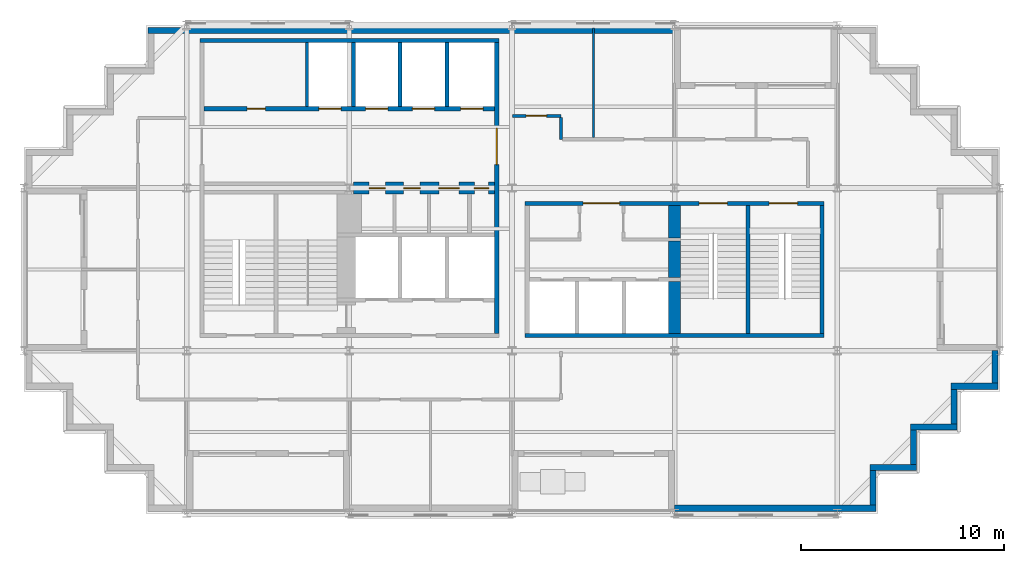
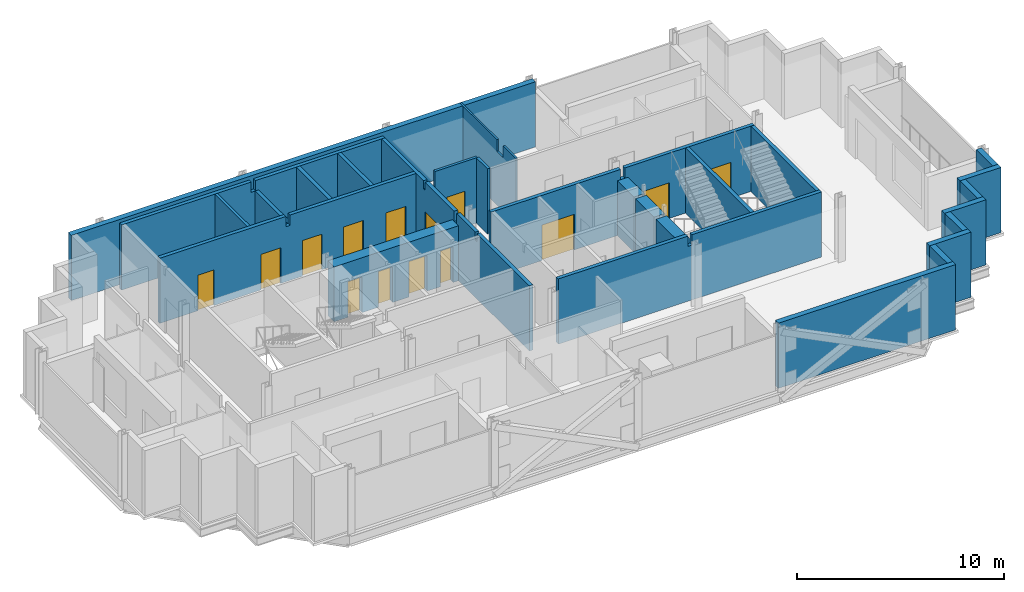
# One storey, part 4 of 8: 27 walls, 14 doors, 14 openings.
"""IFC4 building model written with IfcOpenShell, lengths in metres."""

from ifc_helpers import new_model, si_unit, direction, frame, frame_2d, origin, place, context, subcontext, project, spatial, polyline, rectangle, outline, extrude, material, layer, layer_set, type_object, element, fill, save


model = new_model("IFC4")

# Units and contexts
model_context = context("Model", 3, precision=1e-05, world=origin(), true_north=direction((0.0, 1.0)))
body_context = subcontext(model_context, "Body", "Model", "MODEL_VIEW")
ifc_project = project(units=[si_unit("LENGTHUNIT", "METRE"), si_unit("AREAUNIT", "SQUARE_METRE"), si_unit("VOLUMEUNIT", "CUBIC_METRE"), si_unit("PLANEANGLEUNIT", "RADIAN"), si_unit("MASSUNIT", "GRAM", prefix="KILO")], contexts=[model_context])

# Site, building, storey
site_placement = place(None, origin())
site = spatial("IfcSite", under=ifc_project, at=site_placement, CompositionType="ELEMENT")
building_placement = place(site_placement, origin())
building = spatial("IfcBuilding", under=site, at=building_placement, Name="Immortelle Media Tower", CompositionType="ELEMENT")
storey_placement = place(building_placement, frame((0.0, 0.0, 201.0)))
storey = spatial("IfcBuildingStorey", under=building, at=storey_placement, Name="L42", CompositionType="ELEMENT", Elevation=201.0)

# Wall, openings, doors
ifc_material_1 = material(Name="Fire-rated masonry blockwork", Category="masonry")
ifc_layer_1 = layer(ifc_material_1, 0.60009765625)
ifc_layer_set_1 = layer_set([ifc_layer_1], Name="Fire-rated masonry blockwork")
wall_type_1 = type_object("IfcWallType", Name="Core grid-line wall 600", PredefinedType="PARTITIONING", material=ifc_layer_set_1)
wall_1_placement = place(storey_placement, frame((16.20703125, 16.0, 0.0), z_axis=(0.0, 0.0, 1.0), x_axis=(1.0, 0.0, 0.0)))
wall_1 = element("IfcWall", 1, at=wall_1_placement, inside=storey, type_object=wall_type_1, Name="Core grid-line wall SW", PredefinedType="PARTITIONING", context=body_context, shape_type="SweptSolid", body=[
    extrude(rectangle(XDim=6.94287109375, YDim=0.60009765625, at=frame_2d((3.471435546875, 0.0))), origin(), (0.0, 0.0, 1.0), 3.241943359375),
])
opening_1_placement = place(wall_1_placement, frame((1.568115234375, 0.0, 0.0), z_axis=(0.0, 0.0, 1.0), x_axis=(-1.0, 0.0, 0.0)))
opening_1 = element("IfcOpeningElement", 2, at=opening_1_placement, cuts=wall_1, Name="Opening O2-K009", PredefinedType="OPENING", context=body_context, shape_type="SweptSolid", body=[
    extrude(rectangle(XDim=0.800048828125, YDim=2.10009765625, at=frame_2d((0.39990234375, 1.050048828125))), frame((0.0, 0.31005859375, 0.0), z_axis=(0.0, -1.0, 0.0), x_axis=(1.0, 0.0, 0.0)), (0.0, 0.0, 1.0), 0.6201171875),
])
opening_2_placement = place(wall_1_placement, frame((3.26806640625, 0.0, 0.0), z_axis=(0.0, 0.0, 1.0), x_axis=(-1.0, 0.0, 0.0)))
opening_2 = element("IfcOpeningElement", 3, at=opening_2_placement, cuts=wall_1, Name="Opening O2-K010", PredefinedType="OPENING", context=body_context, shape_type="SweptSolid", body=[
    extrude(rectangle(XDim=0.800048828125, YDim=2.10009765625, at=frame_2d((0.39990234375, 1.050048828125))), frame((0.0, 0.31005859375, 0.0), z_axis=(0.0, -1.0, 0.0), x_axis=(1.0, 0.0, 0.0)), (0.0, 0.0, 1.0), 0.6201171875),
])
opening_3_placement = place(wall_1_placement, frame((5.193115234375, 0.0, 0.0), z_axis=(0.0, 0.0, 1.0), x_axis=(-1.0, 0.0, 0.0)))
opening_3 = element("IfcOpeningElement", 4, at=opening_3_placement, cuts=wall_1, Name="Opening O2-K014", PredefinedType="OPENING", context=body_context, shape_type="SweptSolid", body=[
    extrude(rectangle(XDim=1.0, YDim=2.10009765625, at=frame_2d((0.5, 1.050048828125))), frame((0.0, 0.31005859375, 0.0), z_axis=(0.0, -1.0, 0.0), x_axis=(1.0, 0.0, 0.0)), (0.0, 0.0, 1.0), 0.6201171875),
])
opening_4_placement = place(wall_1_placement, frame((6.64306640625, 0.0, 0.0), z_axis=(0.0, 0.0, 1.0), x_axis=(-1.0, 0.0, 0.0)))
opening_4 = element("IfcOpeningElement", 5, at=opening_4_placement, cuts=wall_1, Name="Opening O2-K017", PredefinedType="OPENING", context=body_context, shape_type="SweptSolid", body=[
    extrude(rectangle(XDim=0.699951171875, YDim=2.10009765625, at=frame_2d((0.35009765625, 1.050048828125))), frame((0.0, 0.31005859375, 0.0), z_axis=(0.0, -1.0, 0.0), x_axis=(1.0, 0.0, 0.0)), (0.0, 0.0, 1.0), 0.6201171875),
])
ifc_material_2 = material(Name="Timber", Category="wood")
door_type_1 = type_object("IfcDoorType", Name="Accessible toilet door 1000 x 2100", OperationType="NOTDEFINED", PredefinedType="NOTDEFINED", material=ifc_material_2)
door_1_placement = place(opening_3_placement, origin())
door_1 = element("IfcDoor", 6, at=door_1_placement, inside=storey, type_object=door_type_1, Name="Accessible toilet O2-K014", OperationType="SINGLE_SWING_RIGHT", OverallHeight=2.10009765625, OverallWidth=1.0, PredefinedType="NOTDEFINED", context=body_context, shape_type="SweptSolid", body=[
    extrude(rectangle(XDim=1.0, YDim=2.10009765625, at=frame_2d((0.5, 1.050048828125))), frame((0.0, 0.02490234375, 0.0), z_axis=(0.0, -1.0, 0.0), x_axis=(1.0, 0.0, 0.0)), (0.0, 0.0, 1.0), 0.050048828125),
])
fill(opening_3, door_1)
ifc_material_3 = material(Name="Galvanised steel door leaf and frame ASTM A653", Category="steel")
door_type_2 = type_object("IfcDoorType", Name="Service door 700 x 2100", OperationType="NOTDEFINED", PredefinedType="NOTDEFINED", material=ifc_material_3)
door_2_placement = place(opening_4_placement, origin())
door_2 = element("IfcDoor", 7, at=door_2_placement, inside=storey, type_object=door_type_2, Name="Service O2-K017", OperationType="SINGLE_SWING_LEFT", OverallHeight=2.10009765625, OverallWidth=0.699951171875, PredefinedType="NOTDEFINED", context=body_context, shape_type="SweptSolid", body=[
    extrude(rectangle(XDim=0.699951171875, YDim=2.10009765625, at=frame_2d((0.35009765625, 1.050048828125))), frame((0.0, 0.02490234375, 0.0), z_axis=(0.0, -1.0, 0.0), x_axis=(1.0, 0.0, 0.0)), (0.0, 0.0, 1.0), 0.050048828125),
])
fill(opening_4, door_2)
door_type_3 = type_object("IfcDoorType", Name="Toilet door 800 x 2100", OperationType="NOTDEFINED", PredefinedType="NOTDEFINED", material=ifc_material_2)
door_3_placement = place(opening_1_placement, origin())
door_3 = element("IfcDoor", 8, at=door_3_placement, inside=storey, type_object=door_type_3, Name="Toilet O2-K009", OperationType="SINGLE_SWING_RIGHT", OverallHeight=2.10009765625, OverallWidth=0.800048828125, PredefinedType="NOTDEFINED", context=body_context, shape_type="SweptSolid", body=[
    extrude(rectangle(XDim=0.800048828125, YDim=2.10009765625, at=frame_2d((0.39990234375, 1.050048828125))), frame((0.0, 0.02490234375, 0.0), z_axis=(0.0, -1.0, 0.0), x_axis=(1.0, 0.0, 0.0)), (0.0, 0.0, 1.0), 0.050048828125),
])
fill(opening_1, door_3)
door_4_placement = place(opening_2_placement, origin())
door_4 = element("IfcDoor", 9, at=door_4_placement, inside=storey, type_object=door_type_3, Name="Toilet O2-K010", OperationType="SINGLE_SWING_LEFT", OverallHeight=2.10009765625, OverallWidth=0.800048828125, PredefinedType="NOTDEFINED", context=body_context, shape_type="SweptSolid", body=[
    extrude(rectangle(XDim=0.800048828125, YDim=2.10009765625, at=frame_2d((0.39990234375, 1.050048828125))), frame((0.0, 0.02490234375, 0.0), z_axis=(0.0, -1.0, 0.0), x_axis=(1.0, 0.0, 0.0)), (0.0, 0.0, 1.0), 0.050048828125),
])
fill(opening_2, door_4)

# Walls
ifc_material_4 = material(Name="Fire-rated gypsum board", Category="gypsum")
ifc_layer_2 = layer(ifc_material_4, 0.02490234375)
ifc_material_5 = material(Name="Steel ASTM A653 SS Gr 50 stud frame with mineral wool", Category="steel")
ifc_layer_3 = layer(ifc_material_5, 0.10009765625)
ifc_layer_4 = layer(ifc_material_4, 0.02490234375)
ifc_layer_set_2 = layer_set([ifc_layer_2, ifc_layer_3, ifc_layer_4], Name="Steel ASTM A653 SS Gr 50 stud frame with mineral wool")
wall_type_2 = type_object("IfcWallType", Name="Core partition 150", PredefinedType="PARTITIONING", material=ifc_layer_set_2)
wall_2_placement = place(storey_placement, frame((13.925048828125, 20.0, 0.0), z_axis=(0.0, 0.0, 1.0), x_axis=(0.0, 1.0, 0.0)))
element("IfcWall", 10, at=wall_2_placement, inside=storey, type_object=wall_type_2, Name="Core partition SW", PredefinedType="PARTITIONING", context=body_context, shape_type="SweptSolid", body=[
    extrude(rectangle(XDim=3.14990234375, YDim=0.14990234375, at=frame_2d((1.574951171875, 0.0))), origin(), (0.0, 0.0, 1.0), 3.85009765625),
])
ifc_layer_5 = layer(ifc_material_4, 0.03759765625)
ifc_layer_6 = layer(ifc_material_5, 0.125)
ifc_layer_7 = layer(ifc_material_4, 0.03759765625)
ifc_layer_set_3 = layer_set([ifc_layer_5, ifc_layer_6, ifc_layer_7], Name="Steel ASTM A653 SS Gr 50 stud frame with mineral wool")
wall_type_3 = type_object("IfcWallType", Name="Core shaft wall 200", PredefinedType="PARTITIONING", material=ifc_layer_set_3)
wall_3_placement = place(storey_placement, frame((8.64990234375, 23.25, 0.0), z_axis=(0.0, 0.0, 1.0), x_axis=(1.0, 0.0, 0.0)))
element("IfcWall", 11, at=wall_3_placement, inside=storey, type_object=wall_type_3, Name="Core shaft wall SW", PredefinedType="PARTITIONING", context=body_context, shape_type="SweptSolid", body=[
    extrude(outline(polyline([(0.0, 0.0), (14.7001953125, 0.0), (14.699951171875, 3.85009765625), (7.468994140625, 3.85009765625), (7.468017578125, 3.241943359375), (7.23193359375, 3.241943359375), (7.23095703125, 3.85009765625), (0.0, 3.85009765625), (0.0, 0.0)])), frame((0.0, 0.10009765625, 0.0), z_axis=(0.0, -1.0, 0.0), x_axis=(1.0, 0.0, 0.0)), (0.0, 0.0, 1.0), 0.199951171875),
])

# Wall, openings, doors
wall_4_placement = place(storey_placement, frame((8.85009765625, 19.89990234375, 0.0), z_axis=(0.0, 0.0, 1.0), x_axis=(1.0, 0.0, 0.0)))
wall_4 = element("IfcWall", 12, at=wall_4_placement, inside=storey, type_object=wall_type_3, Name="Core shaft wall SW", PredefinedType="PARTITIONING", context=body_context, shape_type="SweptSolid", body=[
    extrude(outline(polyline([(0.0, 0.0), (14.2998046875, 0.0), (14.300048828125, 3.85009765625), (7.26904296875, 3.85009765625), (7.26806640625, 3.241943359375), (7.031982421875, 3.241943359375), (7.031005859375, 3.85009765625), (0.0, 3.85009765625), (0.0, 0.0)])), frame((0.0, 0.10009765625, 0.0), z_axis=(0.0, -1.0, 0.0), x_axis=(1.0, 0.0, 0.0)), (0.0, 0.0, 1.0), 0.199951171875),
])
opening_5_placement = place(wall_4_placement, frame((2.125, 0.0, 0.0)))
opening_5 = element("IfcOpeningElement", 13, at=opening_5_placement, cuts=wall_4, Name="Opening O2-K003", PredefinedType="OPENING", context=body_context, shape_type="SweptSolid", body=[
    extrude(rectangle(XDim=0.89990234375, YDim=2.10009765625, at=frame_2d((0.449951171875, 1.050048828125))), frame((0.0, 0.10986328125, 0.0), z_axis=(0.0, -1.0, 0.0), x_axis=(1.0, 0.0, 0.0)), (0.0, 0.0, 1.0), 0.219970703125),
])
opening_6_placement = place(wall_4_placement, frame((5.64990234375, 0.0, 0.0)))
opening_6 = element("IfcOpeningElement", 14, at=opening_6_placement, cuts=wall_4, Name="Opening LD", PredefinedType="OPENING", context=body_context, shape_type="SweptSolid", body=[
    extrude(rectangle(XDim=1.10009765625, YDim=2.10009765625, at=frame_2d((0.550048828125, 1.050048828125))), frame((0.0, 0.10986328125, 0.0), z_axis=(0.0, -1.0, 0.0), x_axis=(1.0, 0.0, 0.0)), (0.0, 0.0, 1.0), 0.219970703125),
])
opening_7_placement = place(wall_4_placement, frame((7.949951171875, 0.0, 0.0)))
opening_7 = element("IfcOpeningElement", 15, at=opening_7_placement, cuts=wall_4, Name="Opening LD", PredefinedType="OPENING", context=body_context, shape_type="SweptSolid", body=[
    extrude(rectangle(XDim=1.10009765625, YDim=2.10009765625, at=frame_2d((0.550048828125, 1.050048828125))), frame((0.0, 0.10986328125, 0.0), z_axis=(0.0, -1.0, 0.0), x_axis=(1.0, 0.0, 0.0)), (0.0, 0.0, 1.0), 0.219970703125),
])
opening_8_placement = place(wall_4_placement, frame((10.25, 0.0, 0.0)))
opening_8 = element("IfcOpeningElement", 16, at=opening_8_placement, cuts=wall_4, Name="Opening LD", PredefinedType="OPENING", context=body_context, shape_type="SweptSolid", body=[
    extrude(rectangle(XDim=1.10009765625, YDim=2.10009765625, at=frame_2d((0.550048828125, 1.050048828125))), frame((0.0, 0.10986328125, 0.0), z_axis=(0.0, -1.0, 0.0), x_axis=(1.0, 0.0, 0.0)), (0.0, 0.0, 1.0), 0.219970703125),
])
opening_9_placement = place(wall_4_placement, frame((12.625, 0.0, 0.0)))
opening_9 = element("IfcOpeningElement", 17, at=opening_9_placement, cuts=wall_4, Name="Opening LD", PredefinedType="OPENING", context=body_context, shape_type="SweptSolid", body=[
    extrude(rectangle(XDim=1.10009765625, YDim=2.10009765625, at=frame_2d((0.550048828125, 1.050048828125))), frame((0.0, 0.10986328125, 0.0), z_axis=(0.0, -1.0, 0.0), x_axis=(1.0, 0.0, 0.0)), (0.0, 0.0, 1.0), 0.219970703125),
])
ifc_material_6 = material(Name="Stainless steel AISI 304", Category="steel")
door_type_4 = type_object("IfcDoorType", Name="Landing door 1100 x 2100", OperationType="SLIDING_TO_LEFT", PredefinedType="NOTDEFINED", material=ifc_material_6)
door_5_placement = place(opening_6_placement, origin())
door_5 = element("IfcDoor", 18, at=door_5_placement, inside=storey, type_object=door_type_4, Name="Landing door HR1 L42", OperationType="SLIDING_TO_LEFT", OverallHeight=2.10009765625, OverallWidth=1.10009765625, PredefinedType="NOTDEFINED", context=body_context, shape_type="SweptSolid", body=[
    extrude(rectangle(XDim=1.10009765625, YDim=2.10009765625, at=frame_2d((0.550048828125, 1.050048828125))), frame((0.0, 0.02490234375, 0.0), z_axis=(0.0, -1.0, 0.0), x_axis=(1.0, 0.0, 0.0)), (0.0, 0.0, 1.0), 0.050048828125),
])
fill(opening_6, door_5)
door_6_placement = place(opening_7_placement, origin())
door_6 = element("IfcDoor", 19, at=door_6_placement, inside=storey, type_object=door_type_4, Name="Landing door HR2 L42", OperationType="SLIDING_TO_LEFT", OverallHeight=2.10009765625, OverallWidth=1.10009765625, PredefinedType="NOTDEFINED", context=body_context, shape_type="SweptSolid", body=[
    extrude(rectangle(XDim=1.10009765625, YDim=2.10009765625, at=frame_2d((0.550048828125, 1.050048828125))), frame((0.0, 0.02490234375, 0.0), z_axis=(0.0, -1.0, 0.0), x_axis=(1.0, 0.0, 0.0)), (0.0, 0.0, 1.0), 0.050048828125),
])
fill(opening_7, door_6)
door_7_placement = place(opening_8_placement, origin())
door_7 = element("IfcDoor", 20, at=door_7_placement, inside=storey, type_object=door_type_4, Name="Landing door HR3 L42", OperationType="SLIDING_TO_LEFT", OverallHeight=2.10009765625, OverallWidth=1.10009765625, PredefinedType="NOTDEFINED", context=body_context, shape_type="SweptSolid", body=[
    extrude(rectangle(XDim=1.10009765625, YDim=2.10009765625, at=frame_2d((0.550048828125, 1.050048828125))), frame((0.0, 0.02490234375, 0.0), z_axis=(0.0, -1.0, 0.0), x_axis=(1.0, 0.0, 0.0)), (0.0, 0.0, 1.0), 0.050048828125),
])
fill(opening_8, door_7)
door_8_placement = place(opening_9_placement, origin())
door_8 = element("IfcDoor", 21, at=door_8_placement, inside=storey, type_object=door_type_4, Name="Landing door HR4 L42", OperationType="SLIDING_TO_LEFT", OverallHeight=2.10009765625, OverallWidth=1.10009765625, PredefinedType="NOTDEFINED", context=body_context, shape_type="SweptSolid", body=[
    extrude(rectangle(XDim=1.10009765625, YDim=2.10009765625, at=frame_2d((0.550048828125, 1.050048828125))), frame((0.0, 0.02490234375, 0.0), z_axis=(0.0, -1.0, 0.0), x_axis=(1.0, 0.0, 0.0)), (0.0, 0.0, 1.0), 0.050048828125),
])
fill(opening_9, door_8)
door_type_5 = type_object("IfcDoorType", Name="Room door 900 x 2100", OperationType="NOTDEFINED", PredefinedType="NOTDEFINED", material=ifc_material_2)
door_9_placement = place(opening_5_placement, origin())
door_9 = element("IfcDoor", 22, at=door_9_placement, inside=storey, type_object=door_type_5, Name="Room O2-K003", OperationType="SINGLE_SWING_LEFT", OverallHeight=2.10009765625, OverallWidth=0.89990234375, PredefinedType="NOTDEFINED", context=body_context, shape_type="SweptSolid", body=[
    extrude(rectangle(XDim=0.89990234375, YDim=2.10009765625, at=frame_2d((0.449951171875, 1.050048828125))), frame((0.0, 0.02490234375, 0.0), z_axis=(0.0, -1.0, 0.0), x_axis=(1.0, 0.0, 0.0)), (0.0, 0.0, 1.0), 0.050048828125),
])
fill(opening_5, door_9)

# Walls
wall_5_placement = place(storey_placement, frame((16.199951171875, 20.0, 0.0), z_axis=(0.0, 0.0, 1.0), x_axis=(0.0, 1.0, 0.0)))
element("IfcWall", 23, at=wall_5_placement, inside=storey, type_object=wall_type_3, Name="Core shaft wall SW", PredefinedType="PARTITIONING", context=body_context, shape_type="SweptSolid", body=[
    extrude(rectangle(XDim=3.14990234375, YDim=0.199951171875, at=frame_2d((1.574951171875, 0.0))), origin(), (0.0, 0.0, 1.0), 3.241943359375),
])
for number, where, z_axis, x_axis, name in (
    (24, (18.5, 20.0, 0.0), (0.0, 0.0, 1.0), (0.0, 1.0, 0.0), "Core shaft wall SW"),
    (25, (20.800048828125, 20.0, 0.0), (0.0, 0.0, 1.0), (0.0, 1.0, 0.0), "Core shaft wall SW"),
):
    element("IfcWall", number, at=place(storey_placement, frame(where, z_axis=z_axis, x_axis=x_axis)), inside=storey, type_object=wall_type_3, Name=name, PredefinedType="PARTITIONING", context=body_context, shape_type="SweptSolid", body=[
        extrude(rectangle(XDim=3.14990234375, YDim=0.199951171875, at=frame_2d((1.574951171875, 0.0))), origin(), (0.0, 0.0, 1.0), 3.85009765625),
    ])

# Wall, opening, door
wall_6_placement = place(storey_placement, frame((23.25, 8.85009765625, 0.0), z_axis=(0.0, 0.0, 1.0), x_axis=(0.0, 1.0, 0.0)))
wall_6 = element("IfcWall", 26, at=wall_6_placement, inside=storey, type_object=wall_type_3, Name="Core shaft wall SW", PredefinedType="PARTITIONING", context=body_context, shape_type="SweptSolid", body=[
    extrude(outline(polyline([(0.0, 0.0), (14.2998046875, 0.0), (14.300048828125, 3.85009765625), (10.2314453125, 3.85009765625), (10.23046875, 3.388916015625), (10.069580078125, 3.388916015625), (10.068603515625, 3.85009765625), (7.26904296875, 3.85009765625), (7.26806640625, 3.241943359375), (7.031982421875, 3.241943359375), (7.031005859375, 3.85009765625), (5.2314453125, 3.85009765625), (5.23046875, 3.388916015625), (5.069580078125, 3.388916015625), (5.068603515625, 3.85009765625), (0.0, 3.85009765625), (0.0, 0.0)])), frame((0.0, 0.10009765625, 0.0), z_axis=(0.0, -1.0, 0.0), x_axis=(1.0, 0.0, 0.0)), (0.0, 0.0, 1.0), 0.199951171875),
])
opening_10_placement = place(wall_6_placement, frame((8.300048828125, 0.0, 0.0)))
opening_10 = element("IfcOpeningElement", 27, at=opening_10_placement, cuts=wall_6, Name="Opening O2-K018", PredefinedType="OPENING", context=body_context, shape_type="SweptSolid", body=[
    extrude(rectangle(XDim=1.800048828125, YDim=2.10009765625, at=frame_2d((0.89990234375, 1.050048828125))), frame((0.0, 0.10986328125, 0.0), z_axis=(0.0, -1.0, 0.0), x_axis=(1.0, 0.0, 0.0)), (0.0, 0.0, 1.0), 0.219970703125),
])
door_type_6 = type_object("IfcDoorType", Name="Lift lobby door 1800 x 2100", OperationType="DOUBLE_DOOR_SINGLE_SWING", PredefinedType="NOTDEFINED", material=ifc_material_3)
door_10_placement = place(opening_10_placement, origin())
door_10 = element("IfcDoor", 28, at=door_10_placement, inside=storey, type_object=door_type_6, Name="Lift lobby O2-K018", OperationType="DOUBLE_DOOR_SINGLE_SWING", OverallHeight=2.10009765625, OverallWidth=1.800048828125, PredefinedType="NOTDEFINED", context=body_context, shape_type="SweptSolid", body=[
    extrude(rectangle(XDim=1.800048828125, YDim=2.10009765625, at=frame_2d((0.89990234375, 1.050048828125))), frame((0.0, 0.02490234375, 0.0), z_axis=(0.0, -1.0, 0.0), x_axis=(1.0, 0.0, 0.0)), (0.0, 0.0, 1.0), 0.050048828125),
])
fill(opening_10, door_10)

# Wall
ifc_layer_8 = layer(ifc_material_4, 0.012451171875)
ifc_layer_9 = layer(ifc_material_5, 0.125)
ifc_layer_10 = layer(ifc_material_4, 0.012451171875)
ifc_layer_set_4 = layer_set([ifc_layer_8, ifc_layer_9, ifc_layer_10], Name="Steel ASTM A653 SS Gr 50 stud frame with mineral wool")
wall_type_4 = type_object("IfcWallType", Name="Corridor wall 150", PredefinedType="PARTITIONING", material=ifc_layer_set_4)
wall_7_placement = place(storey_placement, frame((26.39990234375, 18.39990234375, 0.0), z_axis=(0.0, 0.0, 1.0), x_axis=(0.0, 1.0, 0.0)))
element("IfcWall", 29, at=wall_7_placement, inside=storey, type_object=wall_type_4, Name="Partition L42-014", PredefinedType="PARTITIONING", context=body_context, shape_type="SweptSolid", body=[
    extrude(rectangle(XDim=1.0751953125, YDim=0.14990234375, at=frame_2d((0.53759765625, 0.0))), origin(), (0.0, 0.0, 1.0), 3.85009765625),
])

# Wall, opening, door
wall_8_placement = place(storey_placement, frame((24.030029296875, 19.550048828125, 0.0), z_axis=(0.0, 0.0, 1.0), x_axis=(1.0, 0.0, 0.0)))
wall_8 = element("IfcWall", 30, at=wall_8_placement, inside=storey, type_object=wall_type_4, Name="Partition L42-019", PredefinedType="PARTITIONING", context=body_context, shape_type="SweptSolid", body=[
    extrude(rectangle(XDim=2.369873046875, YDim=0.14990234375, at=frame_2d((1.18505859375, 0.0))), origin(), (0.0, 0.0, 1.0), 3.85009765625),
])
opening_11_placement = place(wall_8_placement, frame((0.669921875, 0.0, 0.0)))
opening_11 = element("IfcOpeningElement", 31, at=opening_11_placement, cuts=wall_8, Name="Opening O2-F011", PredefinedType="OPENING", context=body_context, shape_type="SweptSolid", body=[
    extrude(rectangle(XDim=1.0, YDim=2.10009765625, at=frame_2d((0.5, 1.050048828125))), frame((0.0, 0.0849609375, 0.0), z_axis=(0.0, -1.0, 0.0), x_axis=(1.0, 0.0, 0.0)), (0.0, 0.0, 1.0), 0.169921875),
])
ifc_material_7 = material(Name="Timber veneered door leaf, galvanised steel frame ASTM A653", Category="steel")
door_type_7 = type_object("IfcDoorType", Name="Room door 1000 x 2100", OperationType="NOTDEFINED", PredefinedType="DOOR", material=ifc_material_7)
door_11_placement = place(opening_11_placement, origin())
door_11 = element("IfcDoor", 32, at=door_11_placement, inside=storey, type_object=door_type_7, Name="Door O2-F011", OperationType="SINGLE_SWING_LEFT", OverallHeight=2.10009765625, OverallWidth=1.0, PredefinedType="DOOR", context=body_context, shape_type="SweptSolid", body=[
    extrude(rectangle(XDim=1.0, YDim=2.10009765625, at=frame_2d((0.5, 1.050048828125))), frame((0.0, 0.02490234375, 0.0), z_axis=(0.0, -1.0, 0.0), x_axis=(1.0, 0.0, 0.0)), (0.0, 0.0, 1.0), 0.050048828125),
])
fill(opening_11, door_11)

# Walls
ifc_material_8 = material(Name="Pale aluminium cladding panel", Category="aluminium")
ifc_layer_11 = layer(ifc_material_8, 0.030029296875)
ifc_layer_12 = layer(ifc_material_5, 0.257568359375)
ifc_material_9 = material(Name="Moisture-resistant gypsum board", Category="gypsum")
ifc_layer_13 = layer(ifc_material_9, 0.012451171875)
ifc_layer_set_5 = layer_set([ifc_layer_11, ifc_layer_12, ifc_layer_13], Name="Steel ASTM A653 SS Gr 50 stud frame with mineral wool")
wall_type_5 = type_object("IfcWallType", Name="Facade wall 300", PredefinedType="SOLIDWALL", material=ifc_layer_set_5)
wall_9_placement = place(storey_placement, frame((32.0, 0.25, 0.0), z_axis=(0.0, 0.0, 1.0), x_axis=(1.0, 0.0, 0.0)))
element("IfcWall", 33, at=wall_9_placement, inside=storey, type_object=wall_type_5, Name="Facade wall L42 S6", PredefinedType="SOLIDWALL", context=body_context, shape_type="SweptSolid", body=[
    extrude(rectangle(XDim=9.89990234375, YDim=0.300048828125, at=frame_2d((4.949951171875, 0.0))), origin(), (0.0, 0.0, 1.0), 3.85009765625),
])
wall_10_placement = place(storey_placement, frame((41.75, 0.39990234375, 0.0), z_axis=(0.0, 0.0, 1.0), x_axis=(0.0, 1.0, 0.0)))
element("IfcWall", 34, at=wall_10_placement, inside=storey, type_object=wall_type_5, Name="Facade wall L42 E7", PredefinedType="SOLIDWALL", context=body_context, shape_type="SweptSolid", body=[
    extrude(rectangle(XDim=1.7001953125, YDim=0.300048828125, at=frame_2d((0.85009765625, 0.0))), origin(), (0.0, 0.0, 1.0), 3.85009765625),
])
wall_11_placement = place(storey_placement, frame((41.60009765625, 2.25, 0.0), z_axis=(0.0, 0.0, 1.0), x_axis=(1.0, 0.0, 0.0)))
element("IfcWall", 35, at=wall_11_placement, inside=storey, type_object=wall_type_5, Name="Facade wall L42 S8", PredefinedType="SOLIDWALL", context=body_context, shape_type="SweptSolid", body=[
    extrude(rectangle(XDim=2.2998046875, YDim=0.300048828125, at=frame_2d((1.14990234375, 0.0))), origin(), (0.0, 0.0, 1.0), 3.85009765625),
])
wall_12_placement = place(storey_placement, frame((43.75, 2.39990234375, 0.0), z_axis=(0.0, 0.0, 1.0), x_axis=(0.0, 1.0, 0.0)))
element("IfcWall", 36, at=wall_12_placement, inside=storey, type_object=wall_type_5, Name="Facade wall L42 E9", PredefinedType="SOLIDWALL", context=body_context, shape_type="SweptSolid", body=[
    extrude(rectangle(XDim=1.7001953125, YDim=0.300048828125, at=frame_2d((0.85009765625, 0.0))), origin(), (0.0, 0.0, 1.0), 3.85009765625),
])
wall_13_placement = place(storey_placement, frame((43.60009765625, 4.25, 0.0), z_axis=(0.0, 0.0, 1.0), x_axis=(1.0, 0.0, 0.0)))
element("IfcWall", 37, at=wall_13_placement, inside=storey, type_object=wall_type_5, Name="Facade wall L42 S10", PredefinedType="SOLIDWALL", context=body_context, shape_type="SweptSolid", body=[
    extrude(rectangle(XDim=2.2998046875, YDim=0.300048828125, at=frame_2d((1.14990234375, 0.0))), origin(), (0.0, 0.0, 1.0), 3.85009765625),
])
wall_14_placement = place(storey_placement, frame((45.75, 4.39990234375, 0.0), z_axis=(0.0, 0.0, 1.0), x_axis=(0.0, 1.0, 0.0)))
element("IfcWall", 38, at=wall_14_placement, inside=storey, type_object=wall_type_5, Name="Facade wall L42 E11", PredefinedType="SOLIDWALL", context=body_context, shape_type="SweptSolid", body=[
    extrude(rectangle(XDim=1.7001953125, YDim=0.300048828125, at=frame_2d((0.85009765625, 0.0))), origin(), (0.0, 0.0, 1.0), 3.85009765625),
])
wall_15_placement = place(storey_placement, frame((45.60009765625, 6.25, 0.0), z_axis=(0.0, 0.0, 1.0), x_axis=(1.0, 0.0, 0.0)))
element("IfcWall", 39, at=wall_15_placement, inside=storey, type_object=wall_type_5, Name="Facade wall L42 S12", PredefinedType="SOLIDWALL", context=body_context, shape_type="SweptSolid", body=[
    extrude(rectangle(XDim=2.2998046875, YDim=0.300048828125, at=frame_2d((1.14990234375, 0.0))), origin(), (0.0, 0.0, 1.0), 3.85009765625),
])
wall_16_placement = place(storey_placement, frame((47.75, 6.39990234375, 0.0), z_axis=(0.0, 0.0, 1.0), x_axis=(0.0, 1.0, 0.0)))
element("IfcWall", 40, at=wall_16_placement, inside=storey, type_object=wall_type_5, Name="Facade wall L42 E13", PredefinedType="SOLIDWALL", context=body_context, shape_type="SweptSolid", body=[
    extrude(rectangle(XDim=1.60009765625, YDim=0.300048828125, at=frame_2d((0.800048828125, 0.0))), origin(), (0.0, 0.0, 1.0), 3.85009765625),
])
wall_17_placement = place(storey_placement, frame((32.0, 23.75, 0.0), z_axis=(0.0, 0.0, 1.0), x_axis=(-1.0, 0.0, 0.0)))
element("IfcWall", 41, at=wall_17_placement, inside=storey, type_object=wall_type_5, Name="Facade wall L42 N20", PredefinedType="SOLIDWALL", context=body_context, shape_type="SweptSolid", body=[
    extrude(rectangle(XDim=25.89990234375, YDim=0.300048828125, at=frame_2d((12.949951171875, 0.0))), origin(), (0.0, 0.0, 1.0), 3.85009765625),
])
ifc_material_10 = material(Name="Gypsum board", Category="gypsum")
ifc_layer_14 = layer(ifc_material_10, 0.012451171875)
ifc_layer_15 = layer(ifc_material_5, 0.074951171875)
ifc_layer_16 = layer(ifc_material_10, 0.012451171875)
ifc_layer_set_6 = layer_set([ifc_layer_14, ifc_layer_15, ifc_layer_16], Name="Steel ASTM A653 SS Gr 50 stud frame with mineral wool")
wall_type_6 = type_object("IfcWallType", Name="Partition 100", PredefinedType="PARTITIONING", material=ifc_layer_set_6)
wall_18_placement = place(storey_placement, frame((28.0, 18.47509765625, 0.0), z_axis=(0.0, 0.0, 1.0), x_axis=(0.0, 1.0, 0.0)))
element("IfcWall", 42, at=wall_18_placement, inside=storey, type_object=wall_type_6, Name="Partition L42-015", PredefinedType="PARTITIONING", context=body_context, shape_type="SweptSolid", body=[
    extrude(outline(polyline([(0.0, 0.0), (5.39501953125, 0.0), (5.39501953125, 3.85009765625), (1.824951171875, 3.85009765625), (1.822998046875, 3.156982421875), (1.22705078125, 3.156982421875), (1.22509765625, 3.85009765625), (0.0, 3.85009765625), (0.0, 0.0)])), frame((0.0, 0.050048828125, 0.0), z_axis=(0.0, -1.0, 0.0), x_axis=(1.0, 0.0, 0.0)), (0.0, 0.0, 1.0), 0.10009765625),
])
ifc_material_11 = material(Name="Concrete C60", Category="concrete")
ifc_layer_17 = layer(ifc_material_11, 0.199951171875)
ifc_layer_set_7 = layer_set([ifc_layer_17], Name="Concrete C60")
wall_type_7 = type_object("IfcWallType", Name="Stair shaft wall 200", PredefinedType="PARTITIONING", material=ifc_layer_set_7)
wall_19_placement = place(storey_placement, frame((24.64990234375, 8.75, 0.0), z_axis=(0.0, 0.0, 1.0), x_axis=(1.0, 0.0, 0.0)))
element("IfcWall", 43, at=wall_19_placement, inside=storey, type_object=wall_type_7, Name="Stair shaft wall SE", PredefinedType="PARTITIONING", context=body_context, shape_type="SweptSolid", body=[
    extrude(outline(polyline([(0.0, 0.0), (14.7001953125, 0.0), (14.699951171875, 3.85009765625), (7.468994140625, 3.85009765625), (7.468017578125, 3.241943359375), (7.23193359375, 3.241943359375), (7.23095703125, 3.85009765625), (0.0, 3.85009765625), (0.0, 0.0)])), frame((0.0, 0.10009765625, 0.0), z_axis=(0.0, -1.0, 0.0), x_axis=(1.0, 0.0, 0.0)), (0.0, 0.0, 1.0), 0.199951171875),
])

# Wall, openings, doors
wall_20_placement = place(storey_placement, frame((24.64990234375, 15.25, 0.0), z_axis=(0.0, 0.0, 1.0), x_axis=(1.0, 0.0, 0.0)))
wall_20 = element("IfcWall", 44, at=wall_20_placement, inside=storey, type_object=wall_type_7, Name="Stair shaft wall SE", PredefinedType="PARTITIONING", context=body_context, shape_type="SweptSolid", body=[
    extrude(outline(polyline([(0.0, 0.0), (14.7001953125, 0.0), (14.699951171875, 3.85009765625), (7.468994140625, 3.85009765625), (7.468017578125, 3.241943359375), (7.23193359375, 3.241943359375), (7.23095703125, 3.85009765625), (0.0, 3.85009765625), (0.0, 0.0)])), frame((0.0, 0.10009765625, 0.0), z_axis=(0.0, -1.0, 0.0), x_axis=(1.0, 0.0, 0.0)), (0.0, 0.0, 1.0), 0.199951171875),
])
opening_12_placement = place(wall_20_placement, frame((2.85009765625, 0.0, 0.0)))
opening_12 = element("IfcOpeningElement", 45, at=opening_12_placement, cuts=wall_20, Name="Opening O2-K022", PredefinedType="OPENING", context=body_context, shape_type="SweptSolid", body=[
    extrude(rectangle(XDim=1.800048828125, YDim=2.10009765625, at=frame_2d((0.89990234375, 1.050048828125))), frame((0.0, 0.10986328125, 0.0), z_axis=(0.0, -1.0, 0.0), x_axis=(1.0, 0.0, 0.0)), (0.0, 0.0, 1.0), 0.219970703125),
])
opening_13_placement = place(wall_20_placement, frame((9.949951171875, 0.0, 0.0), z_axis=(0.0, 0.0, 1.0), x_axis=(-1.0, 0.0, 0.0)))
opening_13 = element("IfcOpeningElement", 46, at=opening_13_placement, cuts=wall_20, Name="Opening O2-K025", PredefinedType="OPENING", context=body_context, shape_type="SweptSolid", body=[
    extrude(rectangle(XDim=1.39990234375, YDim=2.10009765625, at=frame_2d((0.699951171875, 1.050048828125))), frame((0.0, 0.10986328125, 0.0), z_axis=(0.0, -1.0, 0.0), x_axis=(1.0, 0.0, 0.0)), (0.0, 0.0, 1.0), 0.219970703125),
])
opening_14_placement = place(wall_20_placement, frame((13.39990234375, 0.0, 0.0), z_axis=(0.0, 0.0, 1.0), x_axis=(-1.0, 0.0, 0.0)))
opening_14 = element("IfcOpeningElement", 47, at=opening_14_placement, cuts=wall_20, Name="Opening O2-K026", PredefinedType="OPENING", context=body_context, shape_type="SweptSolid", body=[
    extrude(rectangle(XDim=1.39990234375, YDim=2.10009765625, at=frame_2d((0.699951171875, 1.050048828125))), frame((0.0, 0.10986328125, 0.0), z_axis=(0.0, -1.0, 0.0), x_axis=(1.0, 0.0, 0.0)), (0.0, 0.0, 1.0), 0.219970703125),
])
door_12_placement = place(opening_12_placement, origin())
door_12 = element("IfcDoor", 48, at=door_12_placement, inside=storey, type_object=door_type_6, Name="Lift lobby O2-K022", OperationType="DOUBLE_DOOR_SINGLE_SWING", OverallHeight=2.10009765625, OverallWidth=1.800048828125, PredefinedType="NOTDEFINED", context=body_context, shape_type="SweptSolid", body=[
    extrude(rectangle(XDim=1.800048828125, YDim=2.10009765625, at=frame_2d((0.89990234375, 1.050048828125))), frame((0.0, 0.02490234375, 0.0), z_axis=(0.0, -1.0, 0.0), x_axis=(1.0, 0.0, 0.0)), (0.0, 0.0, 1.0), 0.050048828125),
])
fill(opening_12, door_12)
door_type_8 = type_object("IfcDoorType", Name="Stair door 1400 x 2100", OperationType="DOUBLE_DOOR_SINGLE_SWING", PredefinedType="NOTDEFINED", material=ifc_material_3)
door_13_placement = place(opening_13_placement, origin())
door_13 = element("IfcDoor", 49, at=door_13_placement, inside=storey, type_object=door_type_8, Name="Stair O2-K025", OperationType="DOUBLE_DOOR_SINGLE_SWING", OverallHeight=2.10009765625, OverallWidth=1.39990234375, PredefinedType="NOTDEFINED", context=body_context, shape_type="SweptSolid", body=[
    extrude(rectangle(XDim=1.39990234375, YDim=2.10009765625, at=frame_2d((0.699951171875, 1.050048828125))), frame((0.0, 0.02490234375, 0.0), z_axis=(0.0, -1.0, 0.0), x_axis=(1.0, 0.0, 0.0)), (0.0, 0.0, 1.0), 0.050048828125),
])
fill(opening_13, door_13)
door_14_placement = place(opening_14_placement, origin())
door_14 = element("IfcDoor", 50, at=door_14_placement, inside=storey, type_object=door_type_8, Name="Stair O2-K026", OperationType="DOUBLE_DOOR_SINGLE_SWING", OverallHeight=2.10009765625, OverallWidth=1.39990234375, PredefinedType="NOTDEFINED", context=body_context, shape_type="SweptSolid", body=[
    extrude(rectangle(XDim=1.39990234375, YDim=2.10009765625, at=frame_2d((0.699951171875, 1.050048828125))), frame((0.0, 0.02490234375, 0.0), z_axis=(0.0, -1.0, 0.0), x_axis=(1.0, 0.0, 0.0)), (0.0, 0.0, 1.0), 0.050048828125),
])
fill(opening_14, door_14)

# Walls
for number, where, z_axis, x_axis, name in (
    (51, (35.60009765625, 8.85009765625, 0.0), (0.0, 0.0, 1.0), (0.0, 1.0, 0.0), "Stair shaft wall SE"),
    (52, (39.25, 8.85009765625, 0.0), (0.0, 0.0, 1.0), (0.0, 1.0, 0.0), "Stair shaft wall SE"),
):
    element("IfcWall", number, at=place(storey_placement, frame(where, z_axis=z_axis, x_axis=x_axis)), inside=storey, type_object=wall_type_7, Name=name, PredefinedType="PARTITIONING", context=body_context, shape_type="SweptSolid", body=[
        extrude(rectangle(XDim=6.2998046875, YDim=0.199951171875, at=frame_2d((3.14990234375, 0.0))), origin(), (0.0, 0.0, 1.0), 3.85009765625),
    ])
ifc_layer_18 = layer(ifc_material_11, 0.60009765625)
ifc_layer_set_8 = layer_set([ifc_layer_18], Name="Concrete C60")
wall_type_8 = type_object("IfcWallType", Name="Stair shaft wall 600", PredefinedType="PARTITIONING", material=ifc_layer_set_8)
wall_21_placement = place(storey_placement, frame((32.0, 8.85009765625, 0.0), z_axis=(0.0, 0.0, 1.0), x_axis=(0.0, 1.0, 0.0)))
element("IfcWall", 53, at=wall_21_placement, inside=storey, type_object=wall_type_8, Name="Stair shaft wall SE", PredefinedType="PARTITIONING", context=body_context, shape_type="SweptSolid", body=[
    extrude(rectangle(XDim=2.5498046875, YDim=0.60009765625, at=frame_2d((1.27490234375, 0.0))), origin(), (0.0, 0.0, 1.0), 3.241943359375),
])
wall_22_placement = place(storey_placement, frame((32.0, 11.60009765625, 0.0), z_axis=(0.0, 0.0, 1.0), x_axis=(0.0, 1.0, 0.0)))
element("IfcWall", 54, at=wall_22_placement, inside=storey, type_object=wall_type_8, Name="Stair shaft wall SE", PredefinedType="PARTITIONING", context=body_context, shape_type="SweptSolid", body=[
    extrude(rectangle(XDim=1.7998046875, YDim=0.60009765625, at=frame_2d((0.89990234375, 0.0))), origin(), (0.0, 0.0, 1.0), 3.241943359375),
])
wall_23_placement = place(storey_placement, frame((32.0, 13.550048828125, 0.0), z_axis=(0.0, 0.0, 1.0), x_axis=(0.0, 1.0, 0.0)))
element("IfcWall", 55, at=wall_23_placement, inside=storey, type_object=wall_type_8, Name="Stair shaft wall SE", PredefinedType="PARTITIONING", context=body_context, shape_type="SweptSolid", body=[
    extrude(rectangle(XDim=1.599853515625, YDim=0.60009765625, at=frame_2d((0.7998046875, 0.0))), origin(), (0.0, 0.0, 1.0), 3.241943359375),
])

save(model, "model.ifc")
